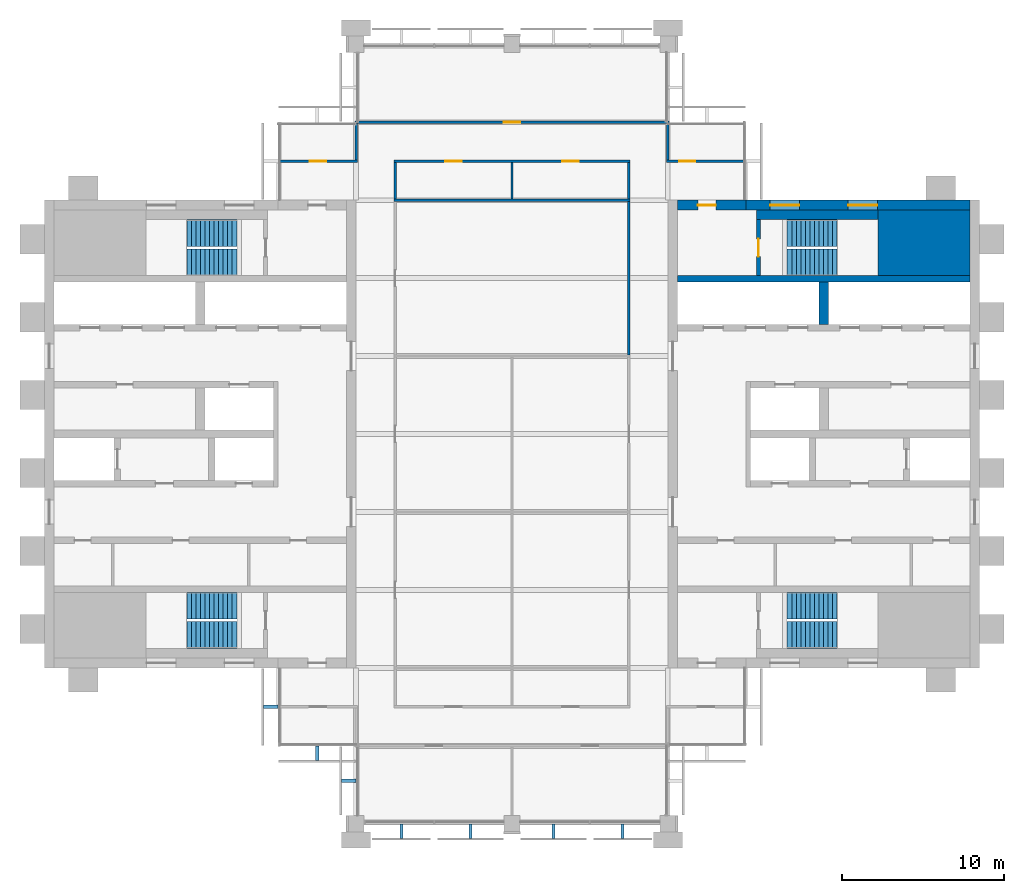
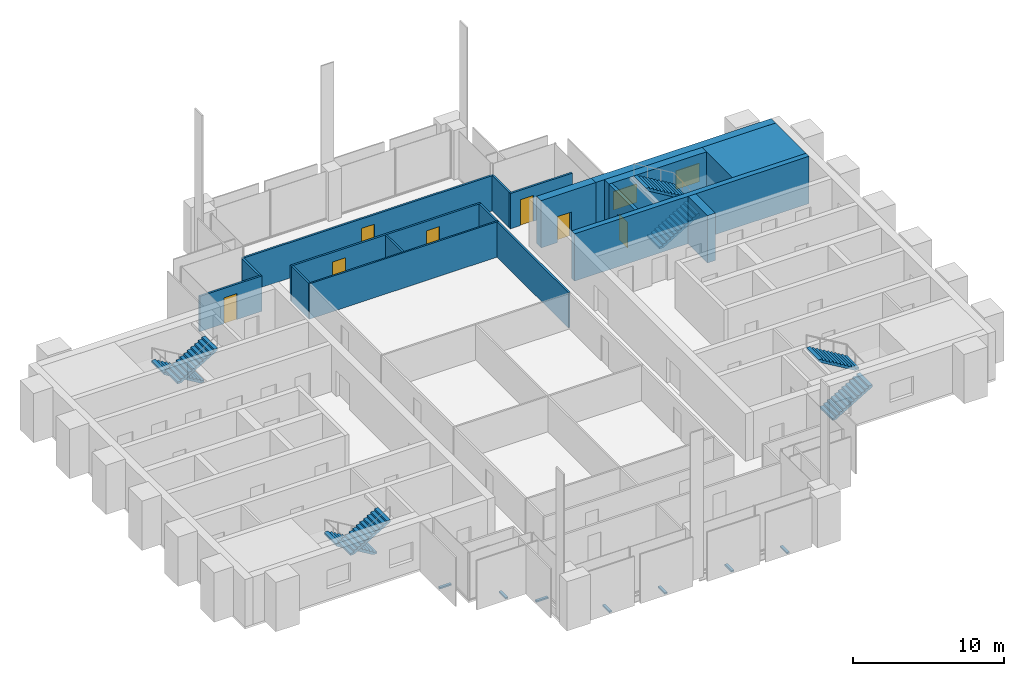
# One storey, part 11 of 13: 18 walls, 8 stair flights, 7 discrete accessories, 7 doors, 2 windows, 9 openings, 4 elements without a shape of their own.
"""IFC4 building model written with IfcOpenShell, lengths in metres."""

import ifcopenshell
import ifcopenshell.guid

model = None  # the IFC model being written
_history = None  # IfcOwnerHistory: only IFC2X3 demands one
_inside = {}  # id of a spatial element -> (the spatial element, [elements in it])
_under = {}  # id of a project, library or spatial element -> (it, [spatial elements below it])
_declared = {}  # id of a project -> (the project, [libraries it declares])
_typed = {}  # id of a type object -> (the type object, [elements of that type])
_made_of = {}  # id of a material, layer set ... -> (it, [elements and type objects made of it])


def new_model(schema):
    """Start an empty IFC model of exactly this schema.

    Asked for "IFC4X3", IfcOpenShell would pick the latest addendum, in which some entities
    have other attributes; the version numbers below select the first issue.
    IFC2X3 requires an IfcOwnerHistory on every rooted entity: one is made here for all.
    """
    global model, _history
    if schema == "IFC4X3":
        model = ifcopenshell.file(schema_version=(4, 3, 0, 0))
    else:
        model = ifcopenshell.file(schema=schema)
    _inside.clear()
    _under.clear()
    _declared.clear()
    _typed.clear()
    _made_of.clear()
    _history = None
    if model.schema == "IFC2X3":
        org = make("IfcOrganization", Name="unknown")
        user = make(
            "IfcPersonAndOrganization",
            ThePerson=make("IfcPerson", FamilyName="unknown"),
            TheOrganization=org,
        )
        app = make(
            "IfcApplication",
            ApplicationDeveloper=org,
            Version="unknown",
            ApplicationFullName="unknown",
            ApplicationIdentifier="unknown",
        )
        _history = make(
            "IfcOwnerHistory",
            OwningUser=user,
            OwningApplication=app,
            ChangeAction="ADDED",
            CreationDate=0,
        )
    return model


def make(cls, **values):
    """One entity of the class cls with the attributes given. An attribute that is None is left unset."""
    return model.create_entity(
        cls, **{name: value for name, value in values.items() if value is not None}
    )


def rooted(cls, **values):
    """An entity with a GlobalId (a new one), such as an element, a storey or a relation."""
    return make(cls, GlobalId=ifcopenshell.guid.new(), OwnerHistory=_history, **values)


def si_unit(unit_type, name, prefix=None):
    """IfcSIUnit, for example si_unit("LENGTHUNIT", "METRE", prefix="MILLI")."""
    return make("IfcSIUnit", UnitType=unit_type, Prefix=prefix, Name=name)


def assignment(units):
    """IfcUnitAssignment: the units of a project."""
    return None if units is None else make("IfcUnitAssignment", Units=units)


def point(xyz):
    """IfcCartesianPoint."""
    return None if xyz is None else make("IfcCartesianPoint", Coordinates=xyz)


def direction(xyz):
    """IfcDirection."""
    return None if xyz is None else make("IfcDirection", DirectionRatios=xyz)


def frame(location, z_axis=None, x_axis=None):
    """IfcAxis2Placement3D, a coordinate frame: its origin and axes. An axis left out is left unset."""
    return make(
        "IfcAxis2Placement3D",
        Location=point(location),
        Axis=direction(z_axis),
        RefDirection=direction(x_axis),
    )


def frame_2d(location, x_axis=None):
    """IfcAxis2Placement2D, a coordinate frame in the plane: its origin and x axis."""
    return make(
        "IfcAxis2Placement2D", Location=point(location), RefDirection=direction(x_axis)
    )


def origin():
    """The frame at (0, 0, 0) with its axes left unset."""
    return frame((0.0, 0.0, 0.0))


def origin_2d():
    """The frame at (0, 0) in the plane with its x axis left unset."""
    return frame_2d((0.0, 0.0))


def place(relative_to, where):
    """IfcLocalPlacement: puts the frame where relative to a parent placement (None: the world)."""
    return make(
        "IfcLocalPlacement", PlacementRelTo=relative_to, RelativePlacement=where
    )


def context(
    kind, dimensions, precision=None, world=None, true_north=None, identifier=None
):
    """IfcGeometricRepresentationContext, for example the 3D "Model" context."""
    return make(
        "IfcGeometricRepresentationContext",
        ContextIdentifier=identifier,
        ContextType=kind,
        CoordinateSpaceDimension=dimensions,
        Precision=precision,
        WorldCoordinateSystem=world,
        TrueNorth=true_north,
    )


def subcontext(parent, identifier, kind, view, scale=None):
    """IfcGeometricRepresentationSubContext, for example "Body" below "Model"."""
    return make(
        "IfcGeometricRepresentationSubContext",
        ContextIdentifier=identifier,
        ContextType=kind,
        ParentContext=parent,
        TargetScale=scale,
        TargetView=view,
    )


def project(units=None, contexts=None):
    """IfcProject with its units and contexts."""
    return rooted(
        "IfcProject",
        Name="project",
        RepresentationContexts=contexts,
        UnitsInContext=assignment(units),
    )


def spatial(cls, under=None, at=None, **own):
    """A site, building, storey or space (cls), placed at a placement, below another one or the project."""
    s = rooted(cls, ObjectPlacement=at, **own)
    if under is not None:
        _under.setdefault(under.id(), (under, []))[1].append(s)
    return s


def polyline(points):
    """IfcPolyline through the points."""
    return make("IfcPolyline", Points=[point(p) for p in points])


def profile(cls, at=None, kind="AREA", **sizes):
    """A parametric profile (cls). Its sizes go by their IFC names, for example OverallWidth=200.0."""
    return make(cls, ProfileType=kind, Position=at, **sizes)


def rectangle(**sizes):
    """IfcRectangleProfileDef."""
    return profile("IfcRectangleProfileDef", **sizes)


def outline(outer, holes=None, kind="AREA"):
    """IfcArbitraryClosedProfileDef: a profile drawn as a closed curve; with holes, ...WithVoids."""
    if holes is None:
        return make("IfcArbitraryClosedProfileDef", ProfileType=kind, OuterCurve=outer)
    return make(
        "IfcArbitraryProfileDefWithVoids",
        ProfileType=kind,
        OuterCurve=outer,
        InnerCurves=holes,
    )


def extrude(swept, where, along, depth):
    """IfcExtrudedAreaSolid: the profile swept, set in the frame where, extruded along a direction by depth."""
    return make(
        "IfcExtrudedAreaSolid",
        SweptArea=swept,
        Position=where,
        ExtrudedDirection=direction(along),
        Depth=depth,
    )


def shape(context_of_items, identifier, shape_type, items):
    """IfcShapeRepresentation: the items that make up one representation, for example the "Body"."""
    return make(
        "IfcShapeRepresentation",
        ContextOfItems=context_of_items,
        RepresentationIdentifier=identifier,
        RepresentationType=shape_type,
        Items=items,
    )


def material(Name=None, Category=None):
    """IfcMaterial."""
    return make("IfcMaterial", Name=Name, Category=Category)


def layer(
    of_material, thickness, ventilated=None, Name=None, Category=None, Priority=None
):
    """IfcMaterialLayer: one layer of a wall or slab, of a material (None: an air gap)."""
    return make(
        "IfcMaterialLayer",
        Material=of_material,
        LayerThickness=thickness,
        IsVentilated=ventilated,
        Name=Name,
        Category=Category,
        Priority=Priority,
    )


def layer_set(layers, Name=None):
    """IfcMaterialLayerSet."""
    return make("IfcMaterialLayerSet", MaterialLayers=layers, LayerSetName=Name)


def made_of(thing, what):
    """Note that an element or type object is made of a material, layer set ...; save() writes the relation."""
    if what is not None:
        _made_of.setdefault(what.id(), (what, []))[1].append(thing)
    return thing


def type_object(cls, material=None, **own):
    """A type object (cls), such as IfcWallType, which elements share."""
    return made_of(rooted(cls, **own), material)


def element(
    cls,
    number,
    at=None,
    inside=None,
    cuts=None,
    type_object=None,
    material=None,
    context=None,
    identifier="Body",
    shape_type=None,
    held_by="IfcProductDefinitionShape",
    body=None,
    shapes=None,
    **own,
):
    """One element of the class cls, such as IfcWall. Its Tag is "e" and its number.

    at: its placement. inside: the storey or other place that contains it. cuts: it is an
    opening in that element (IfcRelVoidsElement). A single representation is given by context,
    identifier, shape_type and body (its items); several are given by shapes. held_by: the class
    of the entity that holds the representations. save() writes the other relations.
    """
    e = rooted(cls, Tag="e%d" % number, ObjectPlacement=at, **own)
    if body is not None:
        shapes = [shape(context, identifier, shape_type, body)]
    if shapes is not None:
        e.Representation = make(held_by, Representations=shapes)
    if inside is not None:
        _inside.setdefault(inside.id(), (inside, []))[1].append(e)
    if cuts is not None:
        rooted(
            "IfcRelVoidsElement", RelatingBuildingElement=cuts, RelatedOpeningElement=e
        )
    if type_object is not None:
        _typed.setdefault(type_object.id(), (type_object, []))[1].append(e)
    return made_of(e, material)


def fill(opening, filler):
    """IfcRelFillsElement: the door or window that sits in an opening."""
    return rooted(
        "IfcRelFillsElement",
        RelatingOpeningElement=opening,
        RelatedBuildingElement=filler,
    )


def aggregate(whole, parts):
    """IfcRelAggregates: a whole, such as a stair, and the parts it consists of."""
    return rooted("IfcRelAggregates", RelatingObject=whole, RelatedObjects=parts)


def save(model, path):
    """Write the relations noted so far, then the file.

    IfcRelAggregates (storeys below a building ...), IfcRelContainedInSpatialStructure (elements
    in a storey), IfcRelDefinesByType, IfcRelAssociatesMaterial and IfcRelDeclares: one each for
    every whole, place, type object, material and project.
    """
    for whole, parts in _under.values():
        aggregate(whole, parts)
    for where, things in _inside.values():
        rooted(
            "IfcRelContainedInSpatialStructure",
            RelatedElements=things,
            RelatingStructure=where,
        )
    for kind, things in _typed.values():
        rooted("IfcRelDefinesByType", RelatedObjects=things, RelatingType=kind)
    for what, things in _made_of.values():
        rooted("IfcRelAssociatesMaterial", RelatedObjects=things, RelatingMaterial=what)
    for by, libraries in _declared.values():
        rooted("IfcRelDeclares", RelatingContext=by, RelatedDefinitions=libraries)
    model.write(path)


model = new_model("IFC4")

# Units and contexts
model_context = context("Model", 3, precision=1e-05, world=origin(), true_north=direction((0.0, 1.0)))
body_context = subcontext(model_context, "Body", "Model", "MODEL_VIEW")
ifc_project = project(units=[si_unit("LENGTHUNIT", "METRE"), si_unit("AREAUNIT", "SQUARE_METRE"), si_unit("VOLUMEUNIT", "CUBIC_METRE"), si_unit("PLANEANGLEUNIT", "RADIAN"), si_unit("MASSUNIT", "GRAM", prefix="KILO")], contexts=[model_context])

# Site, building, storey
site_placement = place(None, origin())
site = spatial("IfcSite", under=ifc_project, at=site_placement, CompositionType="ELEMENT")
building_placement = place(site_placement, origin())
building = spatial("IfcBuilding", under=site, at=building_placement, Name="Baori Bourse Tower", CompositionType="ELEMENT")
storey_placement = place(building_placement, frame((0.0, 0.0, 294.300048828125)))
storey = spatial("IfcBuildingStorey", under=building, at=storey_placement, Name="L64", CompositionType="ELEMENT", Elevation=294.300048828125)

# Wall
ifc_material_1 = material(Name="Concrete f'c 40 MPa", Category="concrete")
wall_type_1 = type_object("IfcWallType", Name="Core corner block f'c 40", PredefinedType="SHEAR", material=ifc_material_1)
wall_1_placement = place(storey_placement, frame((51.35009765625, 35.77490234375, 0.0), z_axis=(0.0, 0.0, 1.0), x_axis=(1.0, 0.0, 0.0)))
element("IfcWall", 1, at=wall_1_placement, inside=storey, type_object=wall_type_1, Name="Core wall E22", PredefinedType="SHEAR", context=body_context, shape_type="SweptSolid", body=[
    extrude(rectangle(XDim=5.64990234375, YDim=4.050048828125, at=frame_2d((2.824951171875, 0.0))), origin(), (0.0, 0.0, 1.0), 3.83984375),
])

# Wall, openings, windows
ifc_material_2 = material(Name="Concrete f'c 40 MPa", Category="concrete")
ifc_layer_1 = layer(ifc_material_2, 0.60009765625)
ifc_layer_set_1 = layer_set([ifc_layer_1], Name="Core wall 600 f'c 40")
wall_type_2 = type_object("IfcWallType", Name="Core wall 600 f'c 40", PredefinedType="SHEAR", material=ifc_layer_set_1)
wall_2_placement = place(storey_placement, frame((43.199951171875, 38.10009765625, 0.0), z_axis=(0.0, 0.0, 1.0), x_axis=(1.0, 0.0, 0.0)))
wall_2 = element("IfcWall", 2, at=wall_2_placement, inside=storey, type_object=wall_type_2, Name="Core wall E25", PredefinedType="SHEAR", context=body_context, shape_type="SweptSolid", body=[
    extrude(rectangle(XDim=13.800048828125, YDim=0.60009765625, at=frame_2d((6.89990234375, 0.0))), origin(), (0.0, 0.0, 1.0), 3.83984375),
])
opening_1_placement = place(wall_2_placement, frame((6.300048828125, 0.0, 0.89990234375)))
opening_1 = element("IfcOpeningElement", 3, at=opening_1_placement, cuts=wall_2, Name="Opening L64-KW205", PredefinedType="OPENING", context=body_context, shape_type="SweptSolid", body=[
    extrude(rectangle(XDim=1.800048828125, YDim=1.5, at=frame_2d((0.89990234375, 0.75))), frame((0.0, 0.31005859375, 0.0), z_axis=(0.0, -1.0, 0.0), x_axis=(1.0, 0.0, 0.0)), (0.0, 0.0, 1.0), 0.6201171875),
])
opening_2_placement = place(wall_2_placement, frame((1.5, 0.0, 0.89990234375)))
opening_2 = element("IfcOpeningElement", 4, at=opening_2_placement, cuts=wall_2, Name="Opening L64-KW206", PredefinedType="OPENING", context=body_context, shape_type="SweptSolid", body=[
    extrude(rectangle(XDim=1.800048828125, YDim=1.5, at=frame_2d((0.89990234375, 0.75))), frame((0.0, 0.31005859375, 0.0), z_axis=(0.0, -1.0, 0.0), x_axis=(1.0, 0.0, 0.0)), (0.0, 0.0, 1.0), 0.6201171875),
])
ifc_material_3 = material(Name="Pale anodised aluminium", Category="aluminium")
window_type = type_object("IfcWindowType", Name="Stair window 1800 x 1500", PartitioningType="SINGLE_PANEL", PredefinedType="WINDOW", material=ifc_material_3)
window_1_placement = place(opening_1_placement, origin())
window_1 = element("IfcWindow", 5, at=window_1_placement, inside=storey, type_object=window_type, Name="Stair window E L64 5", OverallHeight=1.5, OverallWidth=1.800048828125, PartitioningType="SINGLE_PANEL", PredefinedType="WINDOW", context=body_context, shape_type="SweptSolid", body=[
    extrude(rectangle(XDim=1.800048828125, YDim=1.5, at=frame_2d((0.89990234375, 0.75))), frame((0.0, 0.030029296875, 0.0), z_axis=(0.0, -1.0, 0.0), x_axis=(1.0, 0.0, 0.0)), (0.0, 0.0, 1.0), 0.06005859375),
])
fill(opening_1, window_1)
window_2_placement = place(opening_2_placement, origin())
window_2 = element("IfcWindow", 6, at=window_2_placement, inside=storey, type_object=window_type, Name="Stair window E L64 6", OverallHeight=1.5, OverallWidth=1.800048828125, PartitioningType="SINGLE_PANEL", PredefinedType="WINDOW", context=body_context, shape_type="SweptSolid", body=[
    extrude(rectangle(XDim=1.800048828125, YDim=1.5, at=frame_2d((0.89990234375, 0.75))), frame((0.0, 0.030029296875, 0.0), z_axis=(0.0, -1.0, 0.0), x_axis=(1.0, 0.0, 0.0)), (0.0, 0.0, 1.0), 0.06005859375),
])
fill(opening_2, window_2)

# Wall, opening, door
wall_3_placement = place(storey_placement, frame((39.0, 38.10009765625, 0.0), z_axis=(0.0, 0.0, 1.0), x_axis=(1.0, 0.0, 0.0)))
wall_3 = element("IfcWall", 7, at=wall_3_placement, inside=storey, type_object=wall_type_2, Name="Core wall E26", PredefinedType="SHEAR", context=body_context, shape_type="SweptSolid", body=[
    extrude(rectangle(XDim=4.199951171875, YDim=0.60009765625, at=frame_2d((2.10009765625, 0.0))), origin(), (0.0, 0.0, 1.0), 3.83984375),
])
opening_3_placement = place(wall_3_placement, frame((1.25, 0.0, 0.0)))
opening_3 = element("IfcOpeningElement", 8, at=opening_3_placement, cuts=wall_3, Name="Opening L64-D204", PredefinedType="OPENING", context=body_context, shape_type="SweptSolid", body=[
    extrude(rectangle(XDim=1.10009765625, YDim=2.10009765625, at=frame_2d((0.550048828125, 1.050048828125))), frame((0.0, 0.31005859375, 0.0), z_axis=(0.0, -1.0, 0.0), x_axis=(1.0, 0.0, 0.0)), (0.0, 0.0, 1.0), 0.6201171875),
])
ifc_material_4 = material(Name="Painted steel door", Category="steel")
door_type_1 = type_object("IfcDoorType", Name="Stair door 1100", OperationType="SINGLE_SWING_LEFT", PredefinedType="DOOR", material=ifc_material_4)
door_1_placement = place(opening_3_placement, origin())
door_1 = element("IfcDoor", 9, at=door_1_placement, inside=storey, type_object=door_type_1, Name="Stair vestibule door B E L64", OperationType="SINGLE_SWING_LEFT", OverallHeight=2.10009765625, OverallWidth=1.10009765625, PredefinedType="DOOR", context=body_context, shape_type="SweptSolid", body=[
    extrude(rectangle(XDim=1.10009765625, YDim=2.10009765625, at=frame_2d((0.550048828125, 1.050048828125))), frame((0.0, 0.02490234375, 0.0), z_axis=(0.0, -1.0, 0.0), x_axis=(1.0, 0.0, 0.0)), (0.0, 0.0, 1.0), 0.050048828125),
])
fill(opening_3, door_1)

ifc_material_5 = material(Name="Gypsum board partition")
ifc_layer_2 = layer(ifc_material_5, 0.14990234375)
ifc_layer_set_2 = layer_set([ifc_layer_2], Name="Corridor partition 150")
wall_type_3 = type_object("IfcWallType", Name="Corridor partition 150", PredefinedType="PARTITIONING", material=ifc_layer_set_2)
wall_4_placement = place(storey_placement, frame((14.5, 40.800048828125, 0.0), z_axis=(0.0, 0.0, 1.0), x_axis=(1.0, 0.0, 0.0)))
wall_4 = element("IfcWall", 10, at=wall_4_placement, inside=storey, type_object=wall_type_3, Name="Partition", PredefinedType="PARTITIONING", context=body_context, shape_type="SweptSolid", body=[
    extrude(rectangle(XDim=4.77490234375, YDim=0.14990234375, at=frame_2d((2.387451171875, 0.0))), origin(), (0.0, 0.0, 1.0), 2.86962890625),
])
opening_4_placement = place(wall_4_placement, frame((1.85009765625, 0.0, 0.0)))
opening_4 = element("IfcOpeningElement", 11, at=opening_4_placement, cuts=wall_4, Name="Opening L64-D07", PredefinedType="OPENING", context=body_context, shape_type="SweptSolid", body=[
    extrude(rectangle(XDim=1.0, YDim=2.10009765625, at=frame_2d((0.5, 1.050048828125))), frame((0.0, 0.0849609375, 0.0), z_axis=(0.0, -1.0, 0.0), x_axis=(1.0, 0.0, 0.0)), (0.0, 0.0, 1.0), 0.169921875),
])
ifc_material_6 = material(Name="Timber door leaf", Category="wood")
door_type_2 = type_object("IfcDoorType", Name="Door 1000 x 2100", OperationType="SINGLE_SWING_LEFT", PredefinedType="DOOR", material=ifc_material_6)
door_2_placement = place(opening_4_placement, origin())
door_2 = element("IfcDoor", 12, at=door_2_placement, inside=storey, type_object=door_type_2, Name="Door", OperationType="SINGLE_SWING_RIGHT", OverallHeight=2.10009765625, OverallWidth=1.0, PredefinedType="DOOR", context=body_context, shape_type="SweptSolid", body=[
    extrude(rectangle(XDim=1.0, YDim=2.10009765625, at=frame_2d((0.5, 1.050048828125))), frame((0.0, 0.02490234375, 0.0), z_axis=(0.0, -1.0, 0.0), x_axis=(1.0, 0.0, 0.0)), (0.0, 0.0, 1.0), 0.050048828125),
])
fill(opening_4, door_2)

# Wall, openings, doors
wall_5_placement = place(storey_placement, frame((21.52490234375, 40.800048828125, 0.0), z_axis=(0.0, 0.0, 1.0), x_axis=(1.0, 0.0, 0.0)))
wall_5 = element("IfcWall", 13, at=wall_5_placement, inside=storey, type_object=wall_type_3, Name="Partition", PredefinedType="PARTITIONING", context=body_context, shape_type="SweptSolid", body=[
    extrude(rectangle(XDim=14.550048828125, YDim=0.14990234375, at=frame_2d((7.27490234375, 0.0))), origin(), (0.0, 0.0, 1.0), 2.86962890625),
])
opening_5_placement = place(wall_5_placement, frame((3.175048828125, 0.0, 0.0)))
opening_5 = element("IfcOpeningElement", 14, at=opening_5_placement, cuts=wall_5, Name="Opening L64-D08", PredefinedType="OPENING", context=body_context, shape_type="SweptSolid", body=[
    extrude(rectangle(XDim=1.0, YDim=2.10009765625, at=frame_2d((0.5, 1.050048828125))), frame((0.0, 0.0849609375, 0.0), z_axis=(0.0, -1.0, 0.0), x_axis=(1.0, 0.0, 0.0)), (0.0, 0.0, 1.0), 0.169921875),
])
opening_6_placement = place(wall_5_placement, frame((10.375, 0.0, 0.0)))
opening_6 = element("IfcOpeningElement", 15, at=opening_6_placement, cuts=wall_5, Name="Opening L64-D09", PredefinedType="OPENING", context=body_context, shape_type="SweptSolid", body=[
    extrude(rectangle(XDim=1.0, YDim=2.10009765625, at=frame_2d((0.5, 1.050048828125))), frame((0.0, 0.0849609375, 0.0), z_axis=(0.0, -1.0, 0.0), x_axis=(1.0, 0.0, 0.0)), (0.0, 0.0, 1.0), 0.169921875),
])
door_3_placement = place(opening_5_placement, origin())
door_3 = element("IfcDoor", 16, at=door_3_placement, inside=storey, type_object=door_type_2, Name="Door", OperationType="SINGLE_SWING_LEFT", OverallHeight=2.10009765625, OverallWidth=1.0, PredefinedType="DOOR", context=body_context, shape_type="SweptSolid", body=[
    extrude(rectangle(XDim=1.0, YDim=2.10009765625, at=frame_2d((0.5, 1.050048828125))), frame((0.0, 0.02490234375, 0.0), z_axis=(0.0, -1.0, 0.0), x_axis=(1.0, 0.0, 0.0)), (0.0, 0.0, 1.0), 0.050048828125),
])
fill(opening_5, door_3)
door_4_placement = place(opening_6_placement, origin())
door_4 = element("IfcDoor", 17, at=door_4_placement, inside=storey, type_object=door_type_2, Name="Door", OperationType="SINGLE_SWING_RIGHT", OverallHeight=2.10009765625, OverallWidth=1.0, PredefinedType="DOOR", context=body_context, shape_type="SweptSolid", body=[
    extrude(rectangle(XDim=1.0, YDim=2.10009765625, at=frame_2d((0.5, 1.050048828125))), frame((0.0, 0.02490234375, 0.0), z_axis=(0.0, -1.0, 0.0), x_axis=(1.0, 0.0, 0.0)), (0.0, 0.0, 1.0), 0.050048828125),
])
fill(opening_6, door_4)

# Wall, opening, door
wall_6_placement = place(storey_placement, frame((38.324951171875, 40.800048828125, 0.0), z_axis=(0.0, 0.0, 1.0), x_axis=(1.0, 0.0, 0.0)))
wall_6 = element("IfcWall", 18, at=wall_6_placement, inside=storey, type_object=wall_type_3, Name="Partition", PredefinedType="PARTITIONING", context=body_context, shape_type="SweptSolid", body=[
    extrude(rectangle(XDim=4.775146484375, YDim=0.14990234375, at=frame_2d((2.3876953125, 0.0))), origin(), (0.0, 0.0, 1.0), 2.86962890625),
])
opening_7_placement = place(wall_6_placement, frame((0.77490234375, 0.0, 0.0)))
opening_7 = element("IfcOpeningElement", 19, at=opening_7_placement, cuts=wall_6, Name="Opening L64-D10", PredefinedType="OPENING", context=body_context, shape_type="SweptSolid", body=[
    extrude(rectangle(XDim=1.0, YDim=2.10009765625, at=frame_2d((0.5, 1.050048828125))), frame((0.0, 0.0849609375, 0.0), z_axis=(0.0, -1.0, 0.0), x_axis=(1.0, 0.0, 0.0)), (0.0, 0.0, 1.0), 0.169921875),
])
door_5_placement = place(opening_7_placement, origin())
door_5 = element("IfcDoor", 20, at=door_5_placement, inside=storey, type_object=door_type_2, Name="Door", OperationType="SINGLE_SWING_RIGHT", OverallHeight=2.10009765625, OverallWidth=1.0, PredefinedType="DOOR", context=body_context, shape_type="SweptSolid", body=[
    extrude(rectangle(XDim=1.0, YDim=2.10009765625, at=frame_2d((0.5, 1.050048828125))), frame((0.0, 0.02490234375, 0.0), z_axis=(0.0, -1.0, 0.0), x_axis=(1.0, 0.0, 0.0)), (0.0, 0.0, 1.0), 0.050048828125),
])
fill(opening_7, door_5)

wall_7_placement = place(storey_placement, frame((19.125, 43.199951171875, 0.0), z_axis=(0.0, 0.0, 1.0), x_axis=(1.0, 0.0, 0.0)))
wall_7 = element("IfcWall", 21, at=wall_7_placement, inside=storey, type_object=wall_type_3, Name="Partition", PredefinedType="PARTITIONING", context=body_context, shape_type="SweptSolid", body=[
    extrude(rectangle(XDim=19.35009765625, YDim=0.14990234375, at=frame_2d((9.675048828125, 0.0))), origin(), (0.0, 0.0, 1.0), 2.86962890625),
])
opening_8_placement = place(wall_7_placement, frame((9.175048828125, 0.0, 0.0)))
opening_8 = element("IfcOpeningElement", 22, at=opening_8_placement, cuts=wall_7, Name="Opening L64-D11", PredefinedType="OPENING", context=body_context, shape_type="SweptSolid", body=[
    extrude(rectangle(XDim=1.0, YDim=2.10009765625, at=frame_2d((0.5, 1.050048828125))), frame((0.0, 0.0849609375, 0.0), z_axis=(0.0, -1.0, 0.0), x_axis=(1.0, 0.0, 0.0)), (0.0, 0.0, 1.0), 0.169921875),
])
door_6_placement = place(opening_8_placement, origin())
door_6 = element("IfcDoor", 23, at=door_6_placement, inside=storey, type_object=door_type_2, Name="Door", OperationType="SINGLE_SWING_RIGHT", OverallHeight=2.10009765625, OverallWidth=1.0, PredefinedType="DOOR", context=body_context, shape_type="SweptSolid", body=[
    extrude(rectangle(XDim=1.0, YDim=2.10009765625, at=frame_2d((0.5, 1.050048828125))), frame((0.0, 0.02490234375, 0.0), z_axis=(0.0, -1.0, 0.0), x_axis=(1.0, 0.0, 0.0)), (0.0, 0.0, 1.0), 0.050048828125),
])
fill(opening_8, door_6)

# Walls
wall_8_placement = place(storey_placement, frame((19.199951171875, 40.875, 0.0), z_axis=(0.0, 0.0, 1.0), x_axis=(0.0, 1.0, 0.0)))
element("IfcWall", 24, at=wall_8_placement, inside=storey, type_object=wall_type_3, Name="Partition", PredefinedType="PARTITIONING", context=body_context, shape_type="SweptSolid", body=[
    extrude(rectangle(XDim=2.25, YDim=0.14990234375, at=frame_2d((1.125, 0.0))), origin(), (0.0, 0.0, 1.0), 2.86962890625),
])
wall_9_placement = place(storey_placement, frame((21.60009765625, 38.46240234375, 0.0), z_axis=(0.0, 0.0, 1.0), x_axis=(0.0, 1.0, 0.0)))
element("IfcWall", 25, at=wall_9_placement, inside=storey, type_object=wall_type_3, Name="Partition", PredefinedType="PARTITIONING", context=body_context, shape_type="SweptSolid", body=[
    extrude(rectangle(XDim=2.2626953125, YDim=0.14990234375, at=frame_2d((1.13134765625, 0.0))), origin(), (0.0, 0.0, 1.0), 2.86962890625),
])
wall_10_placement = place(storey_placement, frame((36.0, 28.862548828125, 0.0), z_axis=(0.0, 0.0, 1.0), x_axis=(0.0, 1.0, 0.0)))
element("IfcWall", 26, at=wall_10_placement, inside=storey, type_object=wall_type_3, Name="Partition", PredefinedType="PARTITIONING", context=body_context, shape_type="SweptSolid", body=[
    extrude(rectangle(XDim=9.474853515625, YDim=0.14990234375, at=frame_2d((4.7373046875, 0.0))), origin(), (0.0, 0.0, 1.0), 2.86962890625),
])
wall_11_placement = place(storey_placement, frame((36.0, 38.46240234375, 0.0), z_axis=(0.0, 0.0, 1.0), x_axis=(0.0, 1.0, 0.0)))
element("IfcWall", 27, at=wall_11_placement, inside=storey, type_object=wall_type_3, Name="Partition", PredefinedType="PARTITIONING", context=body_context, shape_type="SweptSolid", body=[
    extrude(rectangle(XDim=2.2626953125, YDim=0.14990234375, at=frame_2d((1.13134765625, 0.0))), origin(), (0.0, 0.0, 1.0), 2.86962890625),
])
wall_12_placement = place(storey_placement, frame((38.39990234375, 40.875, 0.0), z_axis=(0.0, 0.0, 1.0), x_axis=(0.0, 1.0, 0.0)))
element("IfcWall", 28, at=wall_12_placement, inside=storey, type_object=wall_type_3, Name="Partition", PredefinedType="PARTITIONING", context=body_context, shape_type="SweptSolid", body=[
    extrude(rectangle(XDim=2.25, YDim=0.14990234375, at=frame_2d((1.125, 0.0))), origin(), (0.0, 0.0, 1.0), 2.86962890625),
])
ifc_material_7 = material(Name="Gypsum board partition")
ifc_layer_3 = layer(ifc_material_7, 0.125)
ifc_layer_set_3 = layer_set([ifc_layer_3], Name="Partition 125")
wall_type_4 = type_object("IfcWallType", Name="Partition 125", PredefinedType="PARTITIONING", material=ifc_layer_set_3)
wall_13_placement = place(storey_placement, frame((21.52490234375, 38.39990234375, 0.0), z_axis=(0.0, 0.0, 1.0), x_axis=(1.0, 0.0, 0.0)))
element("IfcWall", 29, at=wall_13_placement, inside=storey, type_object=wall_type_4, Name="Partition", PredefinedType="PARTITIONING", context=body_context, shape_type="SweptSolid", body=[
    extrude(rectangle(XDim=14.550048828125, YDim=0.125, at=frame_2d((7.27490234375, 0.0))), origin(), (0.0, 0.0, 1.0), 2.86962890625),
])
wall_14_placement = place(storey_placement, frame((28.800048828125, 38.46240234375, 0.0), z_axis=(0.0, 0.0, 1.0), x_axis=(0.0, 1.0, 0.0)))
element("IfcWall", 30, at=wall_14_placement, inside=storey, type_object=wall_type_4, Name="Partition", PredefinedType="PARTITIONING", context=body_context, shape_type="SweptSolid", body=[
    extrude(rectangle(XDim=2.2626953125, YDim=0.125, at=frame_2d((1.13134765625, 0.0))), origin(), (0.0, 0.0, 1.0), 2.86962890625),
])

# Wall, opening, door
ifc_material_8 = material(Name="Concrete f'c 40 MPa", Category="concrete")
ifc_layer_4 = layer(ifc_material_8, 0.25)
ifc_layer_set_4 = layer_set([ifc_layer_4], Name="Shaft wall 250 f'c 40")
wall_type_5 = type_object("IfcWallType", Name="Shaft wall 250 f'c 40", PredefinedType="SHEAR", material=ifc_layer_set_4)
wall_15_placement = place(storey_placement, frame((43.97509765625, 33.75, 0.0), z_axis=(0.0, 0.0, 1.0), x_axis=(0.0, 1.0, 0.0)))
wall_15 = element("IfcWall", 31, at=wall_15_placement, inside=storey, type_object=wall_type_5, Name="Core wall E23", PredefinedType="SHEAR", context=body_context, shape_type="SweptSolid", body=[
    extrude(rectangle(XDim=3.449951171875, YDim=0.25, at=frame_2d((1.72509765625, 0.0))), origin(), (0.0, 0.0, 1.0), 3.83984375),
])
opening_9_placement = place(wall_15_placement, frame((1.175048828125, 0.0, 0.0)))
opening_9 = element("IfcOpeningElement", 32, at=opening_9_placement, cuts=wall_15, Name="Opening L64-D203", PredefinedType="OPENING", context=body_context, shape_type="SweptSolid", body=[
    extrude(rectangle(XDim=1.10009765625, YDim=2.10009765625, at=frame_2d((0.550048828125, 1.050048828125))), frame((0.0, 0.135009765625, 0.0), z_axis=(0.0, -1.0, 0.0), x_axis=(1.0, 0.0, 0.0)), (0.0, 0.0, 1.0), 0.27001953125),
])
door_7_placement = place(opening_9_placement, origin())
door_7 = element("IfcDoor", 33, at=door_7_placement, inside=storey, type_object=door_type_1, Name="Stair door B E L64", OperationType="SINGLE_SWING_LEFT", OverallHeight=2.10009765625, OverallWidth=1.10009765625, PredefinedType="DOOR", context=body_context, shape_type="SweptSolid", body=[
    extrude(rectangle(XDim=1.10009765625, YDim=2.10009765625, at=frame_2d((0.550048828125, 1.050048828125))), frame((0.0, 0.02490234375, 0.0), z_axis=(0.0, -1.0, 0.0), x_axis=(1.0, 0.0, 0.0)), (0.0, 0.0, 1.0), 0.050048828125),
])
fill(opening_9, door_7)

# Walls
ifc_material_9 = material(Name="Concrete f'c 40 MPa", Category="concrete")
ifc_layer_5 = layer(ifc_material_9, 0.39990234375)
ifc_layer_set_5 = layer_set([ifc_layer_5], Name="Shaft wall 400 f'c 40")
wall_type_6 = type_object("IfcWallType", Name="Shaft wall 400 f'c 40", PredefinedType="SHEAR", material=ifc_layer_set_5)
wall_16_placement = place(storey_placement, frame((39.0, 33.550048828125, 0.0), z_axis=(0.0, 0.0, 1.0), x_axis=(1.0, 0.0, 0.0)))
element("IfcWall", 34, at=wall_16_placement, inside=storey, type_object=wall_type_6, Name="Core wall E21", PredefinedType="SHEAR", context=body_context, shape_type="SweptSolid", body=[
    extrude(rectangle(XDim=18.0, YDim=0.39990234375, at=frame_2d((9.0, 0.0))), origin(), (0.0, 0.0, 1.0), 3.83984375),
])
ifc_material_10 = material(Name="Concrete f'c 40 MPa", Category="concrete")
ifc_layer_6 = layer(ifc_material_10, 0.60009765625)
ifc_layer_set_6 = layer_set([ifc_layer_6], Name="Shaft wall 600 f'c 40")
wall_type_7 = type_object("IfcWallType", Name="Shaft wall 600 f'c 40", PredefinedType="SHEAR", material=ifc_layer_set_6)
wall_17_placement = place(storey_placement, frame((48.0, 30.75, 0.0), z_axis=(0.0, 0.0, 1.0), x_axis=(0.0, 1.0, 0.0)))
element("IfcWall", 35, at=wall_17_placement, inside=storey, type_object=wall_type_7, Name="Core wall E20", PredefinedType="SHEAR", context=body_context, shape_type="SweptSolid", body=[
    extrude(rectangle(XDim=2.60009765625, YDim=0.60009765625, at=frame_2d((1.300048828125, 0.0))), origin(), (0.0, 0.0, 1.0), 3.83984375),
])
wall_18_placement = place(storey_placement, frame((43.85009765625, 37.5, 0.0), z_axis=(0.0, 0.0, 1.0), x_axis=(1.0, 0.0, 0.0)))
element("IfcWall", 36, at=wall_18_placement, inside=storey, type_object=wall_type_7, Name="Core wall E24", PredefinedType="SHEAR", context=body_context, shape_type="SweptSolid", body=[
    extrude(rectangle(XDim=7.5, YDim=0.60009765625, at=frame_2d((3.75, 0.0))), origin(), (0.0, 0.0, 1.0), 3.83984375),
])

# Stair, stair flights
ifc_material_11 = material(Name="Concrete f'c 50 MPa", Category="concrete")
stair_type = type_object("IfcStairType", Name="Core stair", PredefinedType="HALF_TURN_STAIR", material=ifc_material_11)
stair_1_placement = place(storey_placement, origin())
stair_1 = element("IfcStair", 37, at=stair_1_placement, inside=storey, type_object=stair_type, Name="L64 Stair WA", PredefinedType="HALF_TURN_STAIR")
ifc_material_12 = material(Name="Concrete f'c 50 MPa", Category="concrete")
stair_flight_type = type_object("IfcStairFlightType", Name="Core stair flight", PredefinedType="STRAIGHT", material=ifc_material_12)
stair_flight_1_placement = place(storey_placement, frame((11.85009765625, 13.425048828125, 0.0), z_axis=(0.0, 0.0, 1.0), x_axis=(-1.0, 0.0, 0.0)))
stair_flight_1 = element("IfcStairFlight", 38, at=stair_flight_1_placement, type_object=stair_flight_type, Name="ST1 flight 1", NumberOfRisers=12, NumberOfTreads=11, PredefinedType="STRAIGHT", RiserHeight=0.166666667, TreadLength=0.28, context=body_context, shape_type="SweptSolid", body=[
    extrude(outline(polyline([(0.0, 0.0), (0.0, 0.166748046875), (0.280029296875, 0.166748046875), (0.280029296875, 0.333251953125), (0.56005859375, 0.333251953125), (0.56005859375, 0.5), (0.840087890625, 0.5), (0.840087890625, 0.666748046875), (1.1201171875, 0.666748046875), (1.1201171875, 0.833251953125), (1.39990234375, 0.833251953125), (1.39990234375, 1.0), (1.679931640625, 1.0), (1.679931640625, 1.166748046875), (1.9599609375, 1.166748046875), (1.9599609375, 1.333251953125), (2.239990234375, 1.333251953125), (2.239990234375, 1.5), (2.52001953125, 1.5), (2.52001953125, 1.666748046875), (2.800048828125, 1.666748046875), (2.800048828125, 1.833251953125), (3.080078125, 1.833251953125), (3.080078125, 2.0), (3.080078125, 1.658935546875), (0.29296875, 0.0), (0.0, 0.0)])), frame((0.0, 0.824951171875, 0.0), z_axis=(0.0, -1.0, 0.0), x_axis=(1.0, 0.0, 0.0)), (0.0, 0.0, 1.0), 1.64990234375),
])
stair_flight_2_placement = place(storey_placement, frame((8.77001953125, 11.625, 2.0), z_axis=(0.0, 0.0, 1.0), x_axis=(1.0, 0.0, 0.0)))
stair_flight_2 = element("IfcStairFlight", 39, at=stair_flight_2_placement, type_object=stair_flight_type, Name="ST1 flight 2", NumberOfRisers=12, NumberOfTreads=11, PredefinedType="STRAIGHT", RiserHeight=0.166666667, TreadLength=0.28, context=body_context, shape_type="SweptSolid", body=[
    extrude(outline(polyline([(0.0, 0.0), (0.0, 0.166748046875), (0.280029296875, 0.166748046875), (0.280029296875, 0.333251953125), (0.56005859375, 0.333251953125), (0.56005859375, 0.5), (0.840087890625, 0.5), (0.840087890625, 0.666748046875), (1.1201171875, 0.666748046875), (1.1201171875, 0.833251953125), (1.39990234375, 0.833251953125), (1.39990234375, 1.0), (1.679931640625, 1.0), (1.679931640625, 1.166748046875), (1.9599609375, 1.166748046875), (1.9599609375, 1.333251953125), (2.239990234375, 1.333251953125), (2.239990234375, 1.5), (2.52001953125, 1.5), (2.52001953125, 1.666748046875), (2.800048828125, 1.666748046875), (2.800048828125, 1.833251953125), (3.080078125, 1.833251953125), (3.080078125, 2.0), (3.080078125, 1.658935546875), (0.29296875, 0.0), (0.0, 0.0)])), frame((0.0, 0.824951171875, 0.0), z_axis=(0.0, -1.0, 0.0), x_axis=(1.0, 0.0, 0.0)), (0.0, 0.0, 1.0), 1.64990234375),
])
aggregate(stair_1, [stair_flight_1, stair_flight_2])

stair_2_placement = place(storey_placement, origin())
stair_2 = element("IfcStair", 40, at=stair_2_placement, inside=storey, type_object=stair_type, Name="L64 Stair WB", PredefinedType="HALF_TURN_STAIR")
stair_flight_3_placement = place(storey_placement, frame((11.85009765625, 36.375, 0.0), z_axis=(0.0, 0.0, 1.0), x_axis=(-1.0, 0.0, 0.0)))
stair_flight_3 = element("IfcStairFlight", 41, at=stair_flight_3_placement, type_object=stair_flight_type, Name="ST2 flight 1", NumberOfRisers=12, NumberOfTreads=11, PredefinedType="STRAIGHT", RiserHeight=0.166666667, TreadLength=0.28, context=body_context, shape_type="SweptSolid", body=[
    extrude(outline(polyline([(0.0, 0.0), (0.0, 0.166748046875), (0.280029296875, 0.166748046875), (0.280029296875, 0.333251953125), (0.56005859375, 0.333251953125), (0.56005859375, 0.5), (0.840087890625, 0.5), (0.840087890625, 0.666748046875), (1.1201171875, 0.666748046875), (1.1201171875, 0.833251953125), (1.39990234375, 0.833251953125), (1.39990234375, 1.0), (1.679931640625, 1.0), (1.679931640625, 1.166748046875), (1.9599609375, 1.166748046875), (1.9599609375, 1.333251953125), (2.239990234375, 1.333251953125), (2.239990234375, 1.5), (2.52001953125, 1.5), (2.52001953125, 1.666748046875), (2.800048828125, 1.666748046875), (2.800048828125, 1.833251953125), (3.080078125, 1.833251953125), (3.080078125, 2.0), (3.080078125, 1.658935546875), (0.29296875, 0.0), (0.0, 0.0)])), frame((0.0, 0.824951171875, 0.0), z_axis=(0.0, -1.0, 0.0), x_axis=(1.0, 0.0, 0.0)), (0.0, 0.0, 1.0), 1.64990234375),
])
stair_flight_4_placement = place(storey_placement, frame((8.77001953125, 34.574951171875, 2.0), z_axis=(0.0, 0.0, 1.0), x_axis=(1.0, 0.0, 0.0)))
stair_flight_4 = element("IfcStairFlight", 42, at=stair_flight_4_placement, type_object=stair_flight_type, Name="ST2 flight 2", NumberOfRisers=12, NumberOfTreads=11, PredefinedType="STRAIGHT", RiserHeight=0.166666667, TreadLength=0.28, context=body_context, shape_type="SweptSolid", body=[
    extrude(outline(polyline([(0.0, 0.0), (0.0, 0.166748046875), (0.280029296875, 0.166748046875), (0.280029296875, 0.333251953125), (0.56005859375, 0.333251953125), (0.56005859375, 0.5), (0.840087890625, 0.5), (0.840087890625, 0.666748046875), (1.1201171875, 0.666748046875), (1.1201171875, 0.833251953125), (1.39990234375, 0.833251953125), (1.39990234375, 1.0), (1.679931640625, 1.0), (1.679931640625, 1.166748046875), (1.9599609375, 1.166748046875), (1.9599609375, 1.333251953125), (2.239990234375, 1.333251953125), (2.239990234375, 1.5), (2.52001953125, 1.5), (2.52001953125, 1.666748046875), (2.800048828125, 1.666748046875), (2.800048828125, 1.833251953125), (3.080078125, 1.833251953125), (3.080078125, 2.0), (3.080078125, 1.658935546875), (0.29296875, 0.0), (0.0, 0.0)])), frame((0.0, 0.824951171875, 0.0), z_axis=(0.0, -1.0, 0.0), x_axis=(1.0, 0.0, 0.0)), (0.0, 0.0, 1.0), 1.64990234375),
])
aggregate(stair_2, [stair_flight_3, stair_flight_4])

stair_3_placement = place(storey_placement, origin())
stair_3 = element("IfcStair", 43, at=stair_3_placement, inside=storey, type_object=stair_type, Name="L64 Stair EA", PredefinedType="HALF_TURN_STAIR")
stair_flight_5_placement = place(storey_placement, frame((45.75, 11.625, 0.0), z_axis=(0.0, 0.0, 1.0), x_axis=(1.0, 0.0, 0.0)))
stair_flight_5 = element("IfcStairFlight", 44, at=stair_flight_5_placement, type_object=stair_flight_type, Name="ST3 flight 1", NumberOfRisers=12, NumberOfTreads=11, PredefinedType="STRAIGHT", RiserHeight=0.166666667, TreadLength=0.28, context=body_context, shape_type="SweptSolid", body=[
    extrude(outline(polyline([(0.0, 0.0), (0.0, 0.166748046875), (0.280029296875, 0.166748046875), (0.280029296875, 0.333251953125), (0.56005859375, 0.333251953125), (0.56005859375, 0.5), (0.840087890625, 0.5), (0.840087890625, 0.666748046875), (1.1201171875, 0.666748046875), (1.1201171875, 0.833251953125), (1.39990234375, 0.833251953125), (1.39990234375, 1.0), (1.679931640625, 1.0), (1.679931640625, 1.166748046875), (1.9599609375, 1.166748046875), (1.9599609375, 1.333251953125), (2.239990234375, 1.333251953125), (2.239990234375, 1.5), (2.52001953125, 1.5), (2.52001953125, 1.666748046875), (2.800048828125, 1.666748046875), (2.800048828125, 1.833251953125), (3.080078125, 1.833251953125), (3.080078125, 2.0), (3.080078125, 1.658935546875), (0.29296875, 0.0), (0.0, 0.0)])), frame((0.0, 0.824951171875, 0.0), z_axis=(0.0, -1.0, 0.0), x_axis=(1.0, 0.0, 0.0)), (0.0, 0.0, 1.0), 1.64990234375),
])
stair_flight_6_placement = place(storey_placement, frame((48.830078125, 13.425048828125, 2.0), z_axis=(0.0, 0.0, 1.0), x_axis=(-1.0, 0.0, 0.0)))
stair_flight_6 = element("IfcStairFlight", 45, at=stair_flight_6_placement, type_object=stair_flight_type, Name="ST3 flight 2", NumberOfRisers=12, NumberOfTreads=11, PredefinedType="STRAIGHT", RiserHeight=0.166666667, TreadLength=0.28, context=body_context, shape_type="SweptSolid", body=[
    extrude(outline(polyline([(0.0, 0.0), (0.0, 0.166748046875), (0.280029296875, 0.166748046875), (0.280029296875, 0.333251953125), (0.56005859375, 0.333251953125), (0.56005859375, 0.5), (0.840087890625, 0.5), (0.840087890625, 0.666748046875), (1.1201171875, 0.666748046875), (1.1201171875, 0.833251953125), (1.39990234375, 0.833251953125), (1.39990234375, 1.0), (1.679931640625, 1.0), (1.679931640625, 1.166748046875), (1.9599609375, 1.166748046875), (1.9599609375, 1.333251953125), (2.239990234375, 1.333251953125), (2.239990234375, 1.5), (2.52001953125, 1.5), (2.52001953125, 1.666748046875), (2.800048828125, 1.666748046875), (2.800048828125, 1.833251953125), (3.080078125, 1.833251953125), (3.080078125, 2.0), (3.080078125, 1.658935546875), (0.29296875, 0.0), (0.0, 0.0)])), frame((0.0, 0.824951171875, 0.0), z_axis=(0.0, -1.0, 0.0), x_axis=(1.0, 0.0, 0.0)), (0.0, 0.0, 1.0), 1.64990234375),
])
aggregate(stair_3, [stair_flight_5, stair_flight_6])

stair_4_placement = place(storey_placement, origin())
stair_4 = element("IfcStair", 46, at=stair_4_placement, inside=storey, type_object=stair_type, Name="L64 Stair EB", PredefinedType="HALF_TURN_STAIR")
stair_flight_7_placement = place(storey_placement, frame((45.75, 34.574951171875, 0.0), z_axis=(0.0, 0.0, 1.0), x_axis=(1.0, 0.0, 0.0)))
stair_flight_7 = element("IfcStairFlight", 47, at=stair_flight_7_placement, type_object=stair_flight_type, Name="ST4 flight 1", NumberOfRisers=12, NumberOfTreads=11, PredefinedType="STRAIGHT", RiserHeight=0.166666667, TreadLength=0.28, context=body_context, shape_type="SweptSolid", body=[
    extrude(outline(polyline([(0.0, 0.0), (0.0, 0.166748046875), (0.280029296875, 0.166748046875), (0.280029296875, 0.333251953125), (0.56005859375, 0.333251953125), (0.56005859375, 0.5), (0.840087890625, 0.5), (0.840087890625, 0.666748046875), (1.1201171875, 0.666748046875), (1.1201171875, 0.833251953125), (1.39990234375, 0.833251953125), (1.39990234375, 1.0), (1.679931640625, 1.0), (1.679931640625, 1.166748046875), (1.9599609375, 1.166748046875), (1.9599609375, 1.333251953125), (2.239990234375, 1.333251953125), (2.239990234375, 1.5), (2.52001953125, 1.5), (2.52001953125, 1.666748046875), (2.800048828125, 1.666748046875), (2.800048828125, 1.833251953125), (3.080078125, 1.833251953125), (3.080078125, 2.0), (3.080078125, 1.658935546875), (0.29296875, 0.0), (0.0, 0.0)])), frame((0.0, 0.824951171875, 0.0), z_axis=(0.0, -1.0, 0.0), x_axis=(1.0, 0.0, 0.0)), (0.0, 0.0, 1.0), 1.64990234375),
])
stair_flight_8_placement = place(storey_placement, frame((48.830078125, 36.375, 2.0), z_axis=(0.0, 0.0, 1.0), x_axis=(-1.0, 0.0, 0.0)))
stair_flight_8 = element("IfcStairFlight", 48, at=stair_flight_8_placement, type_object=stair_flight_type, Name="ST4 flight 2", NumberOfRisers=12, NumberOfTreads=11, PredefinedType="STRAIGHT", RiserHeight=0.166666667, TreadLength=0.28, context=body_context, shape_type="SweptSolid", body=[
    extrude(outline(polyline([(0.0, 0.0), (0.0, 0.166748046875), (0.280029296875, 0.166748046875), (0.280029296875, 0.333251953125), (0.56005859375, 0.333251953125), (0.56005859375, 0.5), (0.840087890625, 0.5), (0.840087890625, 0.666748046875), (1.1201171875, 0.666748046875), (1.1201171875, 0.833251953125), (1.39990234375, 0.833251953125), (1.39990234375, 1.0), (1.679931640625, 1.0), (1.679931640625, 1.166748046875), (1.9599609375, 1.166748046875), (1.9599609375, 1.333251953125), (2.239990234375, 1.333251953125), (2.239990234375, 1.5), (2.52001953125, 1.5), (2.52001953125, 1.666748046875), (2.800048828125, 1.666748046875), (2.800048828125, 1.833251953125), (3.080078125, 1.833251953125), (3.080078125, 2.0), (3.080078125, 1.658935546875), (0.29296875, 0.0), (0.0, 0.0)])), frame((0.0, 0.824951171875, 0.0), z_axis=(0.0, -1.0, 0.0), x_axis=(1.0, 0.0, 0.0)), (0.0, 0.0, 1.0), 1.64990234375),
])
aggregate(stair_4, [stair_flight_7, stair_flight_8])

# Discrete accessories
ifc_material_13 = material(Name="Pale anodised aluminium", Category="aluminium")
discrete_accessory_type = type_object("IfcDiscreteAccessoryType", Name="OS2 Outer skin bracket", PredefinedType="BRACKET", material=ifc_material_13)
for number, where, z_axis, x_axis, name in (
    (49, (13.949951171875, 7.199951171875, -0.14404296875), (0.0, 0.0, 1.0), (0.0, -1.0, 0.0), "Outer skin bracket L64 11"),
    (50, (16.800048828125, 4.35009765625, -0.14404296875), (0.0, 0.0, 1.0), (1.0, 0.0, 0.0), "Outer skin bracket L64 12"),
    (51, (18.75, 2.64990234375, -0.14404296875), (0.0, 0.0, 1.0), (0.0, -1.0, 0.0), "Outer skin bracket L64 13"),
    (52, (21.987548828125, -0.449951171875, -0.14404296875), (0.0, 0.0, 1.0), (1.0, 0.0, 0.0), "Outer skin bracket L64 14"),
    (53, (26.237548828125, -0.449951171875, -0.14404296875), (0.0, 0.0, 1.0), (1.0, 0.0, 0.0), "Outer skin bracket L64 15"),
    (54, (31.362548828125, -0.449951171875, -0.14404296875), (0.0, 0.0, 1.0), (1.0, 0.0, 0.0), "Outer skin bracket L64 16"),
    (55, (35.612548828125, -0.449951171875, -0.14404296875), (0.0, 0.0, 1.0), (1.0, 0.0, 0.0), "Outer skin bracket L64 17"),
):
    element("IfcDiscreteAccessory", number, at=place(storey_placement, frame(where, z_axis=z_axis, x_axis=x_axis)), inside=storey, type_object=discrete_accessory_type, Name=name, PredefinedType="BRACKET", context=body_context, shape_type="SweptSolid", body=[
        extrude(rectangle(XDim=0.199951171875, YDim=0.89990234375, at=origin_2d()), origin(), (0.0, 0.0, 1.0), 0.1279296875),
    ])

save(model, "model.ifc")
